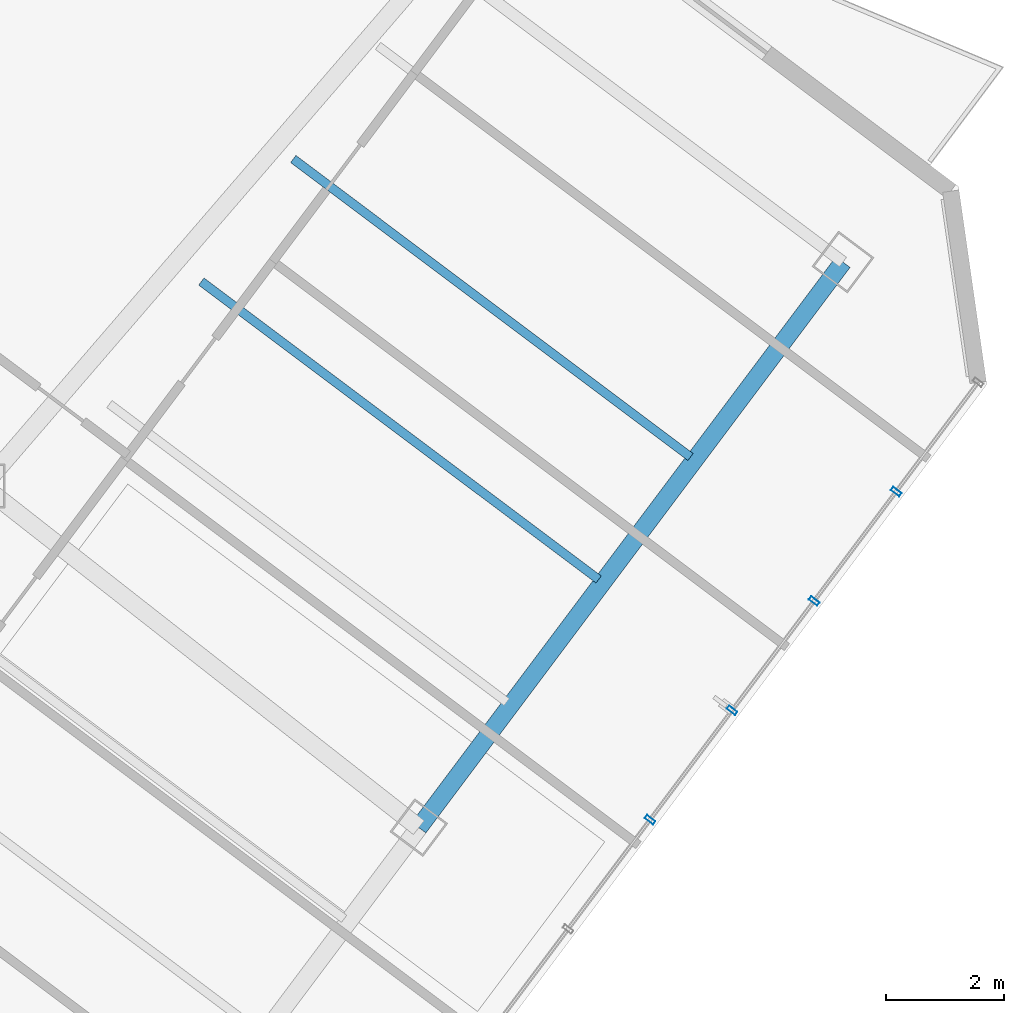
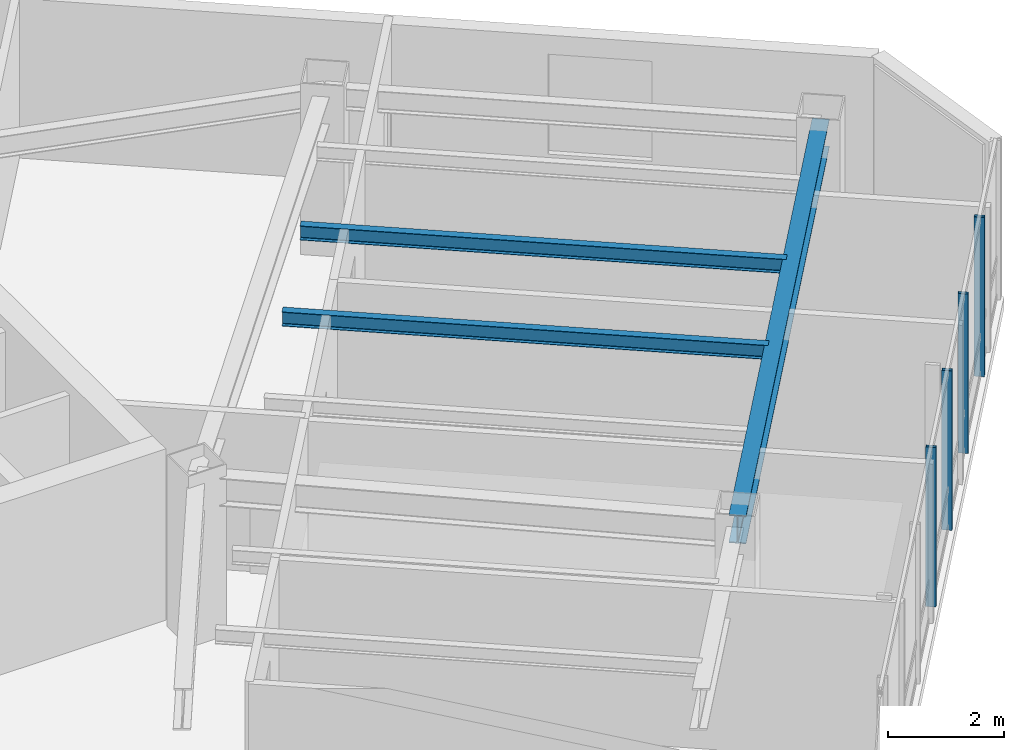
# One storey, part 13 of 26: 4 members, 3 beams, 1 element without a shape of its own.
"""IFC4 building model written with IfcOpenShell, lengths in metres."""

from ifc_helpers import new_model, si_unit, direction, frame, origin, origin_2d, place, context, subcontext, project, spatial, hollow_rectangle, i_section, extrude, material, layer, layer_set, material_profile, profile_set, type_object, element, aggregate, save


model = new_model("IFC4")

# Units and contexts
model_context = context("Model", 3, precision=1e-05, world=origin(), true_north=direction((0.0, 1.0)))
body_context = subcontext(model_context, "Body", "Model", "MODEL_VIEW")
ifc_project = project(units=[si_unit("LENGTHUNIT", "METRE"), si_unit("AREAUNIT", "SQUARE_METRE"), si_unit("VOLUMEUNIT", "CUBIC_METRE"), si_unit("PLANEANGLEUNIT", "RADIAN"), si_unit("MASSUNIT", "GRAM", prefix="KILO")], contexts=[model_context])

# Site, building, storey
site_placement = place(None, origin())
site = spatial("IfcSite", under=ifc_project, at=site_placement, CompositionType="ELEMENT")
building_placement = place(site_placement, origin())
building = spatial("IfcBuilding", under=site, at=building_placement, Name="Hatsunagi Terrace Concourse", CompositionType="ELEMENT")
storey_placement = place(building_placement, frame((0.0, 0.0, 195.14990234375)))
storey = spatial("IfcBuildingStorey", under=building, at=storey_placement, Name="L51", CompositionType="ELEMENT", Elevation=195.14990234375)

# Curtain wall, members
ifc_material_1 = material(Name="Anodised Aluminium Alloy 6063-T5", Category="aluminium")
ifc_layer = layer(ifc_material_1, 0.199951171875)
ifc_layer_set = layer_set([ifc_layer], Name="OfficeZone2_CW04")
curtain_wall_type = type_object("IfcCurtainWallType", Name="OfficeZone2_CW04", PredefinedType="NOTDEFINED", material=ifc_layer_set)
curtain_wall_placement = place(storey_placement, origin())
curtain_wall = element("IfcCurtainWall", 1, at=curtain_wall_placement, inside=storey, type_object=curtain_wall_type, Name="Unitised Curtain Wall CW-04 CW-L51-03", PredefinedType="NOTDEFINED")
ifc_material_2 = material(Name="Anodised Aluminium Alloy 6063-T5", Category="aluminium")
ifc_material_profile_1 = material_profile(ifc_material_2, hollow_rectangle(XDim=0.070068359375, YDim=0.179931640625, WallThickness=0.00390625, at=origin_2d()), Name="ALU-MUL-180x70x4")
ifc_profile_set_1 = profile_set([ifc_material_profile_1], Name="Anodised Aluminium Alloy 6063-T5")
member_type = type_object("IfcMemberType", Name="CurtainWallMullion_180x70", PredefinedType="MULLION", material=ifc_profile_set_1)
member_1_placement = place(storey_placement, frame((59.301025390625, 24.10205078125, 0.0), z_axis=(0.0, 0.0, 1.0), x_axis=(-0.599969314634, -0.800023013105, 0.0)))
member_1 = element("IfcMember", 2, at=member_1_placement, type_object=member_type, Name="Curtain Wall Mullion MUL-02", PredefinedType="MULLION", context=body_context, shape_type="SweptSolid", body=[
    extrude(hollow_rectangle(XDim=0.070068359375, YDim=0.179931640625, WallThickness=0.00390625, at=origin_2d()), origin(), (0.0, 0.0, 1.0), 3.35009765625),
])
member_2_placement = place(storey_placement, frame((57.908935546875, 22.2451171875, 0.0), z_axis=(0.0, 0.0, 1.0), x_axis=(-0.599969314634, -0.800023013105, 0.0)))
member_2 = element("IfcMember", 3, at=member_2_placement, type_object=member_type, Name="Curtain Wall Mullion MUL-02", PredefinedType="MULLION", context=body_context, shape_type="SweptSolid", body=[
    extrude(hollow_rectangle(XDim=0.070068359375, YDim=0.179931640625, WallThickness=0.00390625, at=origin_2d()), origin(), (0.0, 0.0, 1.0), 3.35009765625),
])
member_3_placement = place(storey_placement, frame((56.51611328125, 20.388916015625, 0.0), z_axis=(0.0, 0.0, 1.0), x_axis=(-0.599969314634, -0.800023013105, 0.0)))
member_3 = element("IfcMember", 4, at=member_3_placement, type_object=member_type, Name="Curtain Wall Mullion MUL-02", PredefinedType="MULLION", context=body_context, shape_type="SweptSolid", body=[
    extrude(hollow_rectangle(XDim=0.070068359375, YDim=0.179931640625, WallThickness=0.00390625, at=origin_2d()), origin(), (0.0, 0.0, 1.0), 3.35009765625),
])
member_4_placement = place(storey_placement, frame((55.1240234375, 18.531982421875, 0.0), z_axis=(0.0, 0.0, 1.0), x_axis=(-0.599969314634, -0.800023013105, 0.0)))
member_4 = element("IfcMember", 5, at=member_4_placement, type_object=member_type, Name="Curtain Wall Mullion MUL-02", PredefinedType="MULLION", context=body_context, shape_type="SweptSolid", body=[
    extrude(hollow_rectangle(XDim=0.070068359375, YDim=0.179931640625, WallThickness=0.00390625, at=origin_2d()), origin(), (0.0, 0.0, 1.0), 3.35009765625),
])
aggregate(curtain_wall, [member_1, member_2, member_3, member_4])

# Beams
ifc_material_3 = material(Name="Steel SN490B", Category="steel")
ifc_material_profile_2 = material_profile(ifc_material_3, i_section(OverallWidth=0.300048828125, OverallDepth=0.587890625, WebThickness=0.011962890625, FlangeThickness=0.02001953125, FilletRadius=0.01806640625, at=origin_2d()), Name="H-588x300x12x20")
ifc_profile_set_2 = profile_set([ifc_material_profile_2], Name="Steel SN490B")
beam_type_1 = type_object("IfcBeamType", Name="OfficeHighGirder_H_588x300", PredefinedType="BEAM", material=ifc_profile_set_2)
beam_placement = place(storey_placement, frame((51.199951171875, 18.39990234375, 3.05615234375), z_axis=(0.59999348959, 0.800004882766, 0.0), x_axis=(-0.800004882766, 0.59999348959, 0.0)))
element("IfcBeam", 6, at=beam_placement, inside=storey, type_object=beam_type_1, Name="Beam G-06 BM-L51-SET-2B", PredefinedType="BEAM", context=body_context, shape_type="SweptSolid", body=[
    extrude(i_section(OverallWidth=0.300048828125, OverallDepth=0.587890625, WebThickness=0.011962890625, FlangeThickness=0.02001953125, FilletRadius=0.01806640625, at=origin_2d()), origin(), (0.0, 0.0, 1.0), 12.0),
])
ifc_material_4 = material(Name="Steel SN490B", Category="steel")
ifc_material_profile_3 = material_profile(ifc_material_4, i_section(OverallWidth=0.14990234375, OverallDepth=0.300048828125, WebThickness=0.006591796875, FlangeThickness=0.009033203125, FilletRadius=0.010986328125, at=origin_2d()), Name="H-300x150x6.5x9")
ifc_profile_set_3 = profile_set([ifc_material_profile_3], Name="Steel SN490B")
beam_type_2 = type_object("IfcBeamType", Name="OfficeJoist_H_300x150", PredefinedType="JOIST", material=ifc_profile_set_3)
for number, where, z_axis, x_axis, name in (
    (7, (47.508056640625, 27.6689453125, 3.2001953125), (0.800003475366, -0.59999536615, 0.0), (0.59999536615, 0.800003475366, 0.0), "Beam J-03 J-L51-SE-2-168"),
    (8, (49.068115234375, 29.7490234375, 3.2001953125), (0.799989573921, -0.600013901187, 0.0), (0.600013901187, 0.799989573921, 0.0), "Beam J-03 J-L51-SE-2-194"),
):
    element("IfcBeam", number, at=place(storey_placement, frame(where, z_axis=z_axis, x_axis=x_axis)), inside=storey, type_object=beam_type_2, Name=name, PredefinedType="JOIST", context=body_context, shape_type="SweptSolid", body=[
        extrude(i_section(OverallWidth=0.14990234375, OverallDepth=0.300048828125, WebThickness=0.006591796875, FlangeThickness=0.009033203125, FilletRadius=0.010986328125, at=origin_2d()), origin(), (0.0, 0.0, 1.0), 8.429931640625),
    ])

save(model, "model.ifc")
